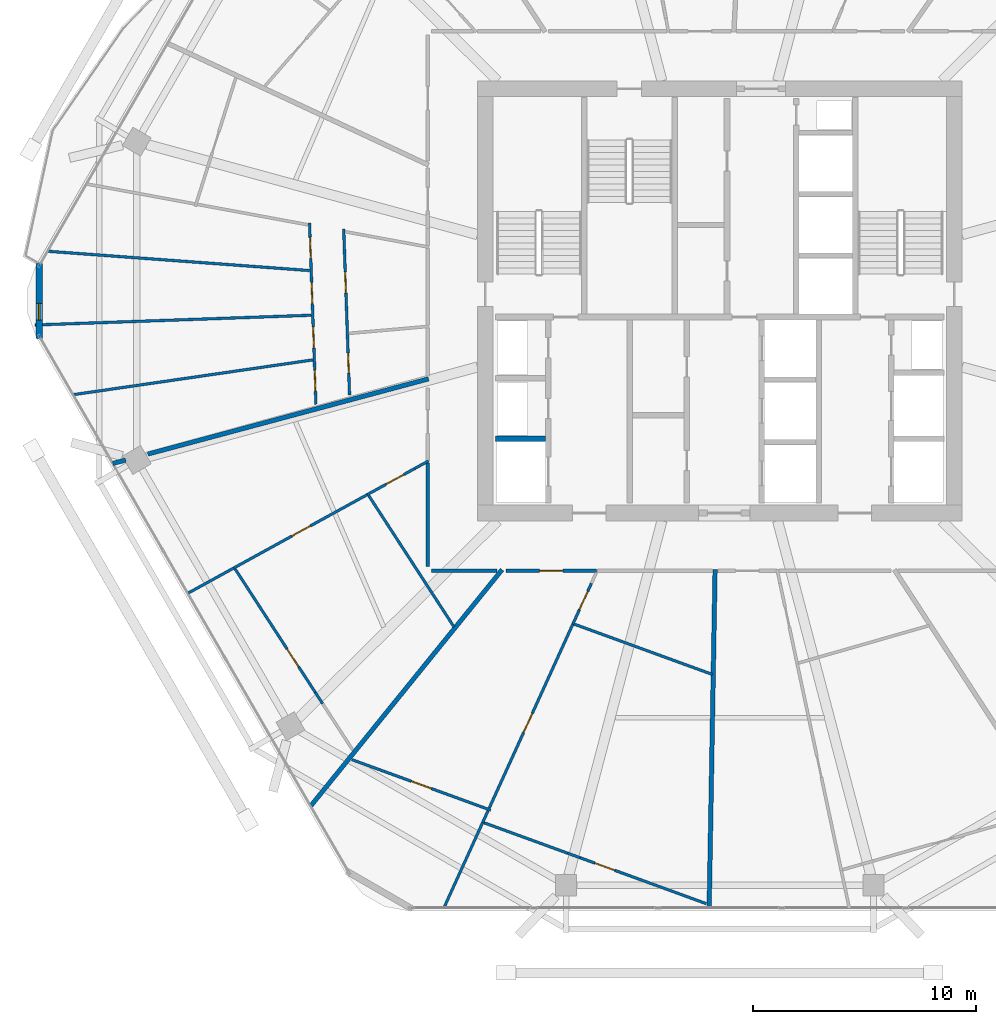
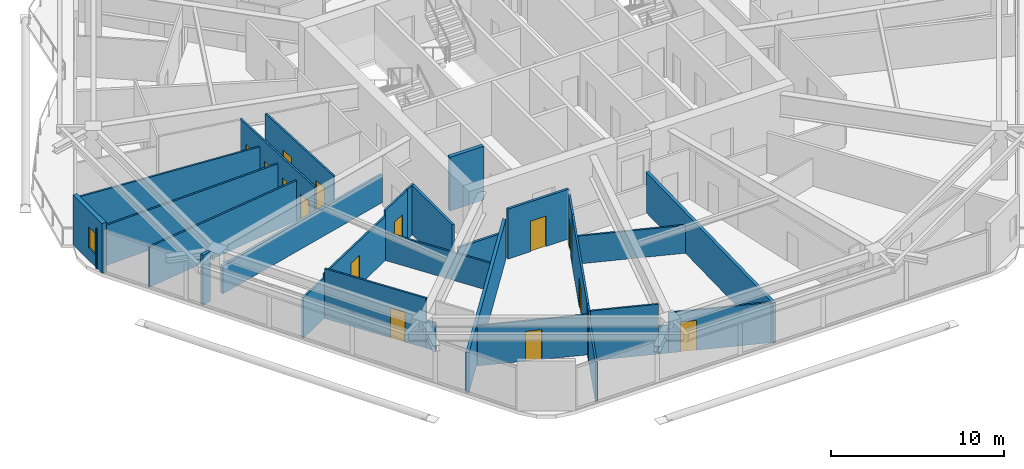
# One storey, part 20 of 28: 30 walls, 14 doors, 1 window, 15 openings.
"""IFC4 building model written with IfcOpenShell, lengths in metres."""

from ifc_helpers import new_model, si_unit, direction, frame, frame_2d, origin, place, context, subcontext, project, spatial, rectangle, extrude, material, layer, layer_set, type_object, element, fill, save


model = new_model("IFC4")

# Units and contexts
model_context = context("Model", 3, precision=1e-05, world=origin(), true_north=direction((0.0, 1.0)))
body_context = subcontext(model_context, "Body", "Model", "MODEL_VIEW")
ifc_project = project(units=[si_unit("LENGTHUNIT", "METRE"), si_unit("AREAUNIT", "SQUARE_METRE"), si_unit("VOLUMEUNIT", "CUBIC_METRE"), si_unit("PLANEANGLEUNIT", "RADIAN"), si_unit("MASSUNIT", "GRAM", prefix="KILO")], contexts=[model_context])

# Site, building, storey
site_placement = place(None, origin())
site = spatial("IfcSite", under=ifc_project, at=site_placement, CompositionType="ELEMENT")
building_placement = place(site_placement, origin())
building = spatial("IfcBuilding", under=site, at=building_placement, Name="Zuhravey Tower", CompositionType="ELEMENT")
storey_placement = place(building_placement, frame((0.0, 0.0, 222.60009765625)))
storey = spatial("IfcBuildingStorey", under=building, at=storey_placement, Name="L56", CompositionType="ELEMENT", Elevation=222.60009765625)

# Wall, opening, door
ifc_material_1 = material(Name="Gypsum fire-rated stud partition")
ifc_layer_1 = layer(ifc_material_1, 0.159912109375)
ifc_layer_set_1 = layer_set([ifc_layer_1], Name="Gypsum fire-rated stud partition")
wall_type_1 = type_object("IfcWallType", Name="Corridor Fire Partition 160", PredefinedType="PARTITIONING", material=ifc_layer_set_1)
wall_1_placement = place(storey_placement, frame((26.416748046875, 19.919921875, 0.0), z_axis=(0.0, 0.0, 1.0), x_axis=(1.0, 0.0, 0.0)))
wall_1 = element("IfcWall", 1, at=wall_1_placement, inside=storey, type_object=wall_type_1, Name="L56 IW16 Partition 053", PredefinedType="PARTITIONING", context=body_context, shape_type="SweptSolid", body=[
    extrude(rectangle(XDim=4.0712890625, YDim=0.159912109375, at=frame_2d((2.03564453125, 0.0))), origin(), (0.0, 0.0, 1.0), 3.52001953125),
])
opening_1_placement = place(wall_1_placement, frame((1.5107421875, 0.0, 0.0)))
opening_1 = element("IfcOpeningElement", 2, at=opening_1_placement, cuts=wall_1, Name="Opening APD1", PredefinedType="OPENING", context=body_context, shape_type="SweptSolid", body=[
    extrude(rectangle(XDim=1.050048828125, YDim=2.14990234375, at=frame_2d((0.52490234375, 1.074951171875))), frame((0.0, 0.092041015625, 0.0), z_axis=(0.0, -1.0, 0.0), x_axis=(1.0, 0.0, 0.0)), (0.0, 0.0, 1.0), 0.183837890625),
])
ifc_material_2 = material(Name="Solid-core oak fire-rated leaf")
door_type_1 = type_object("IfcDoorType", Name="Apartment Entrance Fire Door 1050x2150", OperationType="NOTDEFINED", PredefinedType="DOOR", material=ifc_material_2)
door_1_placement = place(opening_1_placement, frame((1.050048828125, 0.0, 0.0), z_axis=(0.0, 0.0, 1.0), x_axis=(-1.0, 0.0, 0.0)))
door_1 = element("IfcDoor", 3, at=door_1_placement, inside=storey, type_object=door_type_1, Name="L56 Door 053.1", OperationType="SINGLE_SWING_LEFT", OverallHeight=2.14990234375, OverallWidth=1.050048828125, PredefinedType="DOOR", context=body_context, shape_type="SweptSolid", body=[
    extrude(rectangle(XDim=1.050048828125, YDim=2.14990234375, at=frame_2d((0.52490234375, 1.074951171875))), frame((0.0, 0.02490234375, 0.0), z_axis=(0.0, -1.0, 0.0), x_axis=(1.0, 0.0, 0.0)), (0.0, 0.0, 1.0), 0.050048828125),
])
fill(opening_1, door_1)

# Walls
wall_2_placement = place(storey_placement, frame((22.919921875, 24.731689453125, 0.0), z_axis=(0.0, 0.0, 1.0), x_axis=(0.0, -1.0, 0.0)))
element("IfcWall", 4, at=wall_2_placement, inside=storey, type_object=wall_type_1, Name="L56 IW16 Partition 141", PredefinedType="PARTITIONING", context=body_context, shape_type="SweptSolid", body=[
    extrude(rectangle(XDim=4.631591796875, YDim=0.159912109375, at=frame_2d((2.31591796875, 0.0))), origin(), (0.0, 0.0, 1.0), 3.52001953125),
])
wall_3_placement = place(storey_placement, frame((23.10009765625, 19.919921875, 0.0), z_axis=(0.0, 0.0, 1.0), x_axis=(1.0, 0.0, 0.0)))
element("IfcWall", 5, at=wall_3_placement, inside=storey, type_object=wall_type_1, Name="L56 IW16 Partition 142", PredefinedType="PARTITIONING", context=body_context, shape_type="SweptSolid", body=[
    extrude(rectangle(XDim=2.916015625, YDim=0.159912109375, at=frame_2d((1.4580078125, 0.0))), origin(), (0.0, 0.0, 1.0), 1.969970703125),
])

# Wall, opening, window
ifc_material_3 = material(Name="Precast concrete C40/50", Category="concrete")
ifc_layer_2 = layer(ifc_material_3, 0.280029296875)
ifc_layer_set_2 = layer_set([ifc_layer_2], Name="Precast concrete C40/50")
wall_type_2 = type_object("IfcWallType", Name="Crown Architectural Wall 280", PredefinedType="SOLIDWALL", material=ifc_layer_set_2)
wall_4_placement = place(storey_placement, frame((5.5283203125, 30.3173828125, 0.0), z_axis=(0.0, 0.0, 1.0), x_axis=(0.0, 1.0, 0.0)))
wall_4 = element("IfcWall", 6, at=wall_4_placement, inside=storey, type_object=wall_type_2, Name="L56 Rounded Corner Closure Wall EW28-06", PredefinedType="SOLIDWALL", context=body_context, shape_type="SweptSolid", body=[
    extrude(rectangle(XDim=3.365234375, YDim=0.280029296875, at=frame_2d((1.6826171875, 0.0))), origin(), (0.0, 0.0, 1.0), 3.52001953125),
])
opening_2_placement = place(wall_4_placement, frame((0.81689453125, 0.0, 0.85009765625)))
opening_2 = element("IfcOpeningElement", 7, at=opening_2_placement, cuts=wall_4, Name="Opening WN5", PredefinedType="OPENING", context=body_context, shape_type="SweptSolid", body=[
    extrude(rectangle(XDim=0.75, YDim=1.5, at=frame_2d((0.375, 0.75))), frame((0.0, 0.152099609375, 0.0), z_axis=(0.0, -1.0, 0.0), x_axis=(1.0, 0.0, 0.0)), (0.0, 0.0, 1.0), 0.303955078125),
])
ifc_material_4 = material(Name="Thermally broken aluminium and triple low-E glass", Category="aluminium")
window_type = type_object("IfcWindowType", Name="Residential Corner Casement Window 750x1500", PartitioningType="SINGLE_PANEL", PredefinedType="WINDOW", material=ifc_material_4)
window_placement = place(opening_2_placement, origin())
window = element("IfcWindow", 8, at=window_placement, inside=storey, type_object=window_type, Name="L56 Corner Casement Window WN5-06.1", OverallHeight=1.5, OverallWidth=0.75, PartitioningType="SINGLE_PANEL", PredefinedType="WINDOW", context=body_context, shape_type="SweptSolid", body=[
    extrude(rectangle(XDim=0.75, YDim=1.5, at=frame_2d((0.375, 0.75))), frame((0.0, 0.030029296875, 0.0), z_axis=(0.0, -1.0, 0.0), x_axis=(1.0, 0.0, 0.0)), (0.0, 0.0, 1.0), 0.06005859375),
])
fill(opening_2, window)

# Walls
ifc_material_5 = material(Name="Concrete C50/60", Category="concrete")
ifc_layer_3 = layer(ifc_material_5, 0.25)
ifc_layer_set_3 = layer_set([ifc_layer_3], Name="Concrete C50/60")
wall_type_3 = type_object("IfcWallType", Name="Firefighting Shaft & Stair Wall 250", PredefinedType="SOLIDWALL", material=ifc_layer_set_3)
wall_5_placement = place(storey_placement, frame((25.949951171875, 25.824951171875, 0.0), z_axis=(0.0, 0.0, 1.0), x_axis=(1.0, 0.0, 0.0)))
element("IfcWall", 9, at=wall_5_placement, inside=storey, type_object=wall_type_3, Name="L56 FW25 Shaft Wall 009", PredefinedType="SOLIDWALL", context=body_context, shape_type="SweptSolid", body=[
    extrude(rectangle(XDim=2.25, YDim=0.25, at=frame_2d((1.125, 0.0))), origin(), (0.0, 0.0, 1.0), 3.7998046875),
])
ifc_material_6 = material(Name="Gypsum double-stud party assembly")
ifc_layer_4 = layer(ifc_material_6, 0.199951171875)
ifc_layer_set_4 = layer_set([ifc_layer_4], Name="Gypsum double-stud party assembly")
wall_type_4 = type_object("IfcWallType", Name="Inter-Tenancy Party Wall 200", PredefinedType="PARTITIONING", material=ifc_layer_set_4)
wall_6_placement = place(storey_placement, frame((22.9599609375, 28.505859375, 0.0), z_axis=(0.0, 0.0, 1.0), x_axis=(-0.965928543948, -0.258808902449, 0.0)))
element("IfcWall", 10, at=wall_6_placement, inside=storey, type_object=wall_type_4, Name="L56 IW20 Partition 107", PredefinedType="PARTITIONING", context=body_context, shape_type="SweptSolid", body=[
    extrude(rectangle(XDim=13.015869140625, YDim=0.199951171875, at=frame_2d((6.5078125, 0.0))), origin(), (0.0, 0.0, 1.0), 1.969970703125),
])
wall_7_placement = place(storey_placement, frame((9.3974609375, 24.871826171875, 0.0), z_axis=(0.0, 0.0, 1.0), x_axis=(-0.965944425699, -0.258749621182, 0.0)))
element("IfcWall", 11, at=wall_7_placement, inside=storey, type_object=wall_type_4, Name="L56 IW20 Partition 108", PredefinedType="PARTITIONING", context=body_context, shape_type="SweptSolid", body=[
    extrude(rectangle(XDim=0.60107421875, YDim=0.199951171875, at=frame_2d((0.300537109375, 0.0))), origin(), (0.0, 0.0, 1.0), 3.52001953125),
])
wall_8_placement = place(storey_placement, frame((26.250244140625, 19.9599609375, 0.0), z_axis=(0.0, 0.0, 1.0), x_axis=(-0.629325545389, -0.777141787527, 0.0)))
element("IfcWall", 12, at=wall_8_placement, inside=storey, type_object=wall_type_4, Name="L56 IW20 Partition 114", PredefinedType="PARTITIONING", context=body_context, shape_type="SweptSolid", body=[
    extrude(rectangle(XDim=13.62451171875, YDim=0.199951171875, at=frame_2d((6.812255859375, 0.0))), origin(), (0.0, 0.0, 1.0), 2.83984375),
])
wall_9_placement = place(storey_placement, frame((35.789794921875, 19.9599609375, 0.0), z_axis=(0.0, 0.0, 1.0), x_axis=(-0.017457758886, -0.999847601715, 0.0)))
element("IfcWall", 13, at=wall_9_placement, inside=storey, type_object=wall_type_4, Name="L56 IW20 Partition 120", PredefinedType="PARTITIONING", context=body_context, shape_type="SweptSolid", body=[
    extrude(rectangle(XDim=15.145263671875, YDim=0.199951171875, at=frame_2d((7.57275390625, 0.0))), origin(), (0.0, 0.0, 1.0), 2.83984375),
])

# Wall, openings, doors
ifc_material_7 = material(Name="Gypsum metal-stud partition")
ifc_layer_5 = layer(ifc_material_7, 0.1201171875)
ifc_layer_set_5 = layer_set([ifc_layer_5], Name="Gypsum metal-stud partition")
wall_type_5 = type_object("IfcWallType", Name="Unit Internal Partition 120", PredefinedType="PARTITIONING", material=ifc_layer_set_5)
wall_10_placement = place(storey_placement, frame((19.159423828125, 35.210693359375, 0.0), z_axis=(0.0, 0.0, 1.0), x_axis=(0.035234728785, -0.999379064163, 0.0)))
wall_10 = element("IfcWall", 14, at=wall_10_placement, inside=storey, type_object=wall_type_5, Name="L56 IW12 Partition 041", PredefinedType="PARTITIONING", context=body_context, shape_type="SweptSolid", body=[
    extrude(rectangle(XDim=7.434814453125, YDim=0.1201171875, at=frame_2d((3.71728515625, 0.0))), origin(), (0.0, 0.0, 1.0), 3.52001953125),
])
opening_3_placement = place(wall_10_placement, frame((1.914794921875, 0.0, 0.0)))
opening_3 = element("IfcOpeningElement", 15, at=opening_3_placement, cuts=wall_10, Name="Opening IND1", PredefinedType="OPENING", context=body_context, shape_type="SweptSolid", body=[
    extrude(rectangle(XDim=0.949951171875, YDim=2.10009765625, at=frame_2d((0.47509765625, 1.050048828125))), frame((0.0, 0.072021484375, 0.0), z_axis=(0.0, -1.0, 0.0), x_axis=(1.0, 0.0, 0.0)), (0.0, 0.0, 1.0), 0.14404296875),
])
opening_4_placement = place(wall_10_placement, frame((5.555908203125, 0.0, 0.0)))
opening_4 = element("IfcOpeningElement", 16, at=opening_4_placement, cuts=wall_10, Name="Opening WCD1", PredefinedType="OPENING", context=body_context, shape_type="SweptSolid", body=[
    extrude(rectangle(XDim=0.89990234375, YDim=2.10009765625, at=frame_2d((0.449951171875, 1.050048828125))), frame((0.0, 0.072021484375, 0.0), z_axis=(0.0, -1.0, 0.0), x_axis=(1.0, 0.0, 0.0)), (0.0, 0.0, 1.0), 0.14404296875),
])
ifc_material_8 = material(Name="Moisture-resistant timber leaf", Category="wood")
door_type_2 = type_object("IfcDoorType", Name="Bathroom & WC Internal Door 900x2100", OperationType="NOTDEFINED", PredefinedType="DOOR", material=ifc_material_8)
door_2_placement = place(opening_4_placement, origin())
door_2 = element("IfcDoor", 17, at=door_2_placement, inside=storey, type_object=door_type_2, Name="Apartment L56-05 Bathroom Door", OperationType="SINGLE_SWING_LEFT", OverallHeight=2.10009765625, OverallWidth=0.89990234375, PredefinedType="DOOR", context=body_context, shape_type="SweptSolid", body=[
    extrude(rectangle(XDim=0.89990234375, YDim=2.10009765625, at=frame_2d((0.449951171875, 1.050048828125))), frame((0.0, 0.02490234375, 0.0), z_axis=(0.0, -1.0, 0.0), x_axis=(1.0, 0.0, 0.0)), (0.0, 0.0, 1.0), 0.050048828125),
])
fill(opening_4, door_2)
ifc_material_9 = material(Name="Painted engineered timber leaf", Category="wood")
door_type_3 = type_object("IfcDoorType", Name="Internal Room & Bedroom Door 950x2100", OperationType="NOTDEFINED", PredefinedType="DOOR", material=ifc_material_9)
door_3_placement = place(opening_3_placement, origin())
door_3 = element("IfcDoor", 18, at=door_3_placement, inside=storey, type_object=door_type_3, Name="Apartment L56-05 Kitchen Door", OperationType="SINGLE_SWING_RIGHT", OverallHeight=2.10009765625, OverallWidth=0.949951171875, PredefinedType="DOOR", context=body_context, shape_type="SweptSolid", body=[
    extrude(rectangle(XDim=0.949951171875, YDim=2.10009765625, at=frame_2d((0.47509765625, 1.050048828125))), frame((0.0, 0.02490234375, 0.0), z_axis=(0.0, -1.0, 0.0), x_axis=(1.0, 0.0, 0.0)), (0.0, 0.0, 1.0), 0.050048828125),
])
fill(opening_3, door_3)

wall_11_placement = place(storey_placement, frame((17.628662109375, 35.493408203125, 0.0), z_axis=(0.0, 0.0, 1.0), x_axis=(0.035227692797, -0.999379312203, 0.0)))
wall_11 = element("IfcWall", 19, at=wall_11_placement, inside=storey, type_object=wall_type_5, Name="L56 IW12 Partition 042", PredefinedType="PARTITIONING", context=body_context, shape_type="SweptSolid", body=[
    extrude(rectangle(XDim=8.12939453125, YDim=0.1201171875, at=frame_2d((4.064697265625, 0.0))), origin(), (0.0, 0.0, 1.0), 3.52001953125),
])
opening_5_placement = place(wall_11_placement, frame((0.6474609375, 0.0, 0.0)))
opening_5 = element("IfcOpeningElement", 20, at=opening_5_placement, cuts=wall_11, Name="Opening IND1", PredefinedType="OPENING", context=body_context, shape_type="SweptSolid", body=[
    extrude(rectangle(XDim=0.949951171875, YDim=2.10009765625, at=frame_2d((0.47509765625, 1.050048828125))), frame((0.0, 0.072021484375, 0.0), z_axis=(0.0, -1.0, 0.0), x_axis=(1.0, 0.0, 0.0)), (0.0, 0.0, 1.0), 0.14404296875),
])
opening_6_placement = place(wall_11_placement, frame((2.66650390625, 0.0, 0.0)))
opening_6 = element("IfcOpeningElement", 21, at=opening_6_placement, cuts=wall_11, Name="Opening IND1", PredefinedType="OPENING", context=body_context, shape_type="SweptSolid", body=[
    extrude(rectangle(XDim=0.949951171875, YDim=2.10009765625, at=frame_2d((0.47509765625, 1.050048828125))), frame((0.0, 0.072021484375, 0.0), z_axis=(0.0, -1.0, 0.0), x_axis=(1.0, 0.0, 0.0)), (0.0, 0.0, 1.0), 0.14404296875),
])
opening_7_placement = place(wall_11_placement, frame((4.6611328125, 0.0, 0.0)))
opening_7 = element("IfcOpeningElement", 22, at=opening_7_placement, cuts=wall_11, Name="Opening IND1", PredefinedType="OPENING", context=body_context, shape_type="SweptSolid", body=[
    extrude(rectangle(XDim=0.949951171875, YDim=2.10009765625, at=frame_2d((0.47509765625, 1.050048828125))), frame((0.0, 0.072021484375, 0.0), z_axis=(0.0, -1.0, 0.0), x_axis=(1.0, 0.0, 0.0)), (0.0, 0.0, 1.0), 0.14404296875),
])
opening_8_placement = place(wall_11_placement, frame((6.606201171875, 0.0, 0.0)))
opening_8 = element("IfcOpeningElement", 23, at=opening_8_placement, cuts=wall_11, Name="Opening IND1", PredefinedType="OPENING", context=body_context, shape_type="SweptSolid", body=[
    extrude(rectangle(XDim=0.949951171875, YDim=2.10009765625, at=frame_2d((0.47509765625, 1.050048828125))), frame((0.0, 0.072021484375, 0.0), z_axis=(0.0, -1.0, 0.0), x_axis=(1.0, 0.0, 0.0)), (0.0, 0.0, 1.0), 0.14404296875),
])
door_4_placement = place(opening_5_placement, frame((0.949951171875, 0.0, 0.0), z_axis=(0.0, 0.0, 1.0), x_axis=(-1.0, 0.0, 0.0)))
door_4 = element("IfcDoor", 24, at=door_4_placement, inside=storey, type_object=door_type_3, Name="Apartment L56-05 Bedroom 1 Door", OperationType="SINGLE_SWING_RIGHT", OverallHeight=2.10009765625, OverallWidth=0.949951171875, PredefinedType="DOOR", context=body_context, shape_type="SweptSolid", body=[
    extrude(rectangle(XDim=0.949951171875, YDim=2.10009765625, at=frame_2d((0.47509765625, 1.050048828125))), frame((0.0, 0.02490234375, 0.0), z_axis=(0.0, -1.0, 0.0), x_axis=(1.0, 0.0, 0.0)), (0.0, 0.0, 1.0), 0.050048828125),
])
fill(opening_5, door_4)
door_5_placement = place(opening_6_placement, frame((0.949951171875, 0.0, 0.0), z_axis=(0.0, 0.0, 1.0), x_axis=(-1.0, 0.0, 0.0)))
door_5 = element("IfcDoor", 25, at=door_5_placement, inside=storey, type_object=door_type_3, Name="Apartment L56-05 Bedroom 2 Door", OperationType="SINGLE_SWING_LEFT", OverallHeight=2.10009765625, OverallWidth=0.949951171875, PredefinedType="DOOR", context=body_context, shape_type="SweptSolid", body=[
    extrude(rectangle(XDim=0.949951171875, YDim=2.10009765625, at=frame_2d((0.47509765625, 1.050048828125))), frame((0.0, 0.02490234375, 0.0), z_axis=(0.0, -1.0, 0.0), x_axis=(1.0, 0.0, 0.0)), (0.0, 0.0, 1.0), 0.050048828125),
])
fill(opening_6, door_5)
door_6_placement = place(opening_7_placement, frame((0.949951171875, 0.0, 0.0), z_axis=(0.0, 0.0, 1.0), x_axis=(-1.0, 0.0, 0.0)))
door_6 = element("IfcDoor", 26, at=door_6_placement, inside=storey, type_object=door_type_3, Name="Apartment L56-05 Bedroom 3 Door", OperationType="SINGLE_SWING_RIGHT", OverallHeight=2.10009765625, OverallWidth=0.949951171875, PredefinedType="DOOR", context=body_context, shape_type="SweptSolid", body=[
    extrude(rectangle(XDim=0.949951171875, YDim=2.10009765625, at=frame_2d((0.47509765625, 1.050048828125))), frame((0.0, 0.02490234375, 0.0), z_axis=(0.0, -1.0, 0.0), x_axis=(1.0, 0.0, 0.0)), (0.0, 0.0, 1.0), 0.050048828125),
])
fill(opening_7, door_6)
door_7_placement = place(opening_8_placement, frame((0.949951171875, 0.0, 0.0), z_axis=(0.0, 0.0, 1.0), x_axis=(-1.0, 0.0, 0.0)))
door_7 = element("IfcDoor", 27, at=door_7_placement, inside=storey, type_object=door_type_3, Name="Apartment L56-05 Bedroom 4 Door", OperationType="SINGLE_SWING_LEFT", OverallHeight=2.10009765625, OverallWidth=0.949951171875, PredefinedType="DOOR", context=body_context, shape_type="SweptSolid", body=[
    extrude(rectangle(XDim=0.949951171875, YDim=2.10009765625, at=frame_2d((0.47509765625, 1.050048828125))), frame((0.0, 0.02490234375, 0.0), z_axis=(0.0, -1.0, 0.0), x_axis=(1.0, 0.0, 0.0)), (0.0, 0.0, 1.0), 0.050048828125),
])
fill(opening_8, door_7)

# Wall, opening, door
wall_12_placement = place(storey_placement, frame((22.35009765625, 24.495849609375, 0.0), z_axis=(0.0, 0.0, 1.0), x_axis=(-0.876309206798, -0.481749077924, 0.0)))
wall_12 = element("IfcWall", 28, at=wall_12_placement, inside=storey, type_object=wall_type_5, Name="L56 IW12 Partition 044", PredefinedType="PARTITIONING", context=body_context, shape_type="SweptSolid", body=[
    extrude(rectangle(XDim=2.430419921875, YDim=0.1201171875, at=frame_2d((1.21533203125, 0.0))), origin(), (0.0, 0.0, 1.0), 3.52001953125),
])
opening_9_placement = place(wall_12_placement, frame((0.57080078125, 0.0, 0.0)))
opening_9 = element("IfcOpeningElement", 29, at=opening_9_placement, cuts=wall_12, Name="Opening WCD1", PredefinedType="OPENING", context=body_context, shape_type="SweptSolid", body=[
    extrude(rectangle(XDim=0.89990234375, YDim=2.10009765625, at=frame_2d((0.449951171875, 1.050048828125))), frame((0.0, 0.072021484375, 0.0), z_axis=(0.0, -1.0, 0.0), x_axis=(1.0, 0.0, 0.0)), (0.0, 0.0, 1.0), 0.14404296875),
])
door_8_placement = place(opening_9_placement, origin())
door_8 = element("IfcDoor", 30, at=door_8_placement, inside=storey, type_object=door_type_2, Name="Apartment L56-06 Bathroom Door", OperationType="SINGLE_SWING_LEFT", OverallHeight=2.10009765625, OverallWidth=0.89990234375, PredefinedType="DOOR", context=body_context, shape_type="SweptSolid", body=[
    extrude(rectangle(XDim=0.89990234375, YDim=2.10009765625, at=frame_2d((0.449951171875, 1.050048828125))), frame((0.0, 0.02490234375, 0.0), z_axis=(0.0, -1.0, 0.0), x_axis=(1.0, 0.0, 0.0)), (0.0, 0.0, 1.0), 0.050048828125),
])
fill(opening_9, door_8)

wall_13_placement = place(storey_placement, frame((20.22021484375, 23.324951171875, 0.0), z_axis=(0.0, 0.0, 1.0), x_axis=(-0.876311810277, -0.481744342124, 0.0)))
wall_13 = element("IfcWall", 31, at=wall_13_placement, inside=storey, type_object=wall_type_5, Name="L56 IW12 Partition 045", PredefinedType="PARTITIONING", context=body_context, shape_type="SweptSolid", body=[
    extrude(rectangle(XDim=6.824951171875, YDim=0.1201171875, at=frame_2d((3.41259765625, 0.0))), origin(), (0.0, 0.0, 1.0), 3.119873046875),
])
opening_10_placement = place(wall_13_placement, frame((2.912353515625, 0.0, 0.0)))
opening_10 = element("IfcOpeningElement", 32, at=opening_10_placement, cuts=wall_13, Name="Opening IND1", PredefinedType="OPENING", context=body_context, shape_type="SweptSolid", body=[
    extrude(rectangle(XDim=0.949951171875, YDim=2.10009765625, at=frame_2d((0.47509765625, 1.050048828125))), frame((0.0, 0.072021484375, 0.0), z_axis=(0.0, -1.0, 0.0), x_axis=(1.0, 0.0, 0.0)), (0.0, 0.0, 1.0), 0.14404296875),
])
door_9_placement = place(opening_10_placement, origin())
door_9 = element("IfcDoor", 33, at=door_9_placement, inside=storey, type_object=door_type_3, Name="Apartment L56-06 Home Office Door", OperationType="SINGLE_SWING_RIGHT", OverallHeight=2.10009765625, OverallWidth=0.949951171875, PredefinedType="DOOR", context=body_context, shape_type="SweptSolid", body=[
    extrude(rectangle(XDim=0.949951171875, YDim=2.10009765625, at=frame_2d((0.47509765625, 1.050048828125))), frame((0.0, 0.02490234375, 0.0), z_axis=(0.0, -1.0, 0.0), x_axis=(1.0, 0.0, 0.0)), (0.0, 0.0, 1.0), 0.050048828125),
])
fill(opening_10, door_9)

wall_14_placement = place(storey_placement, frame((14.298583984375, 19.991943359375, 0.0), z_axis=(0.0, 0.0, 1.0), x_axis=(0.544629834491, -0.838676542764, 0.0)))
wall_14 = element("IfcWall", 34, at=wall_14_placement, inside=storey, type_object=wall_type_5, Name="L56 IW12 Partition 046", PredefinedType="PARTITIONING", context=body_context, shape_type="SweptSolid", body=[
    extrude(rectangle(XDim=6.583251953125, YDim=0.1201171875, at=frame_2d((3.29150390625, 0.0))), origin(), (0.0, 0.0, 1.0), 3.52001953125),
])
opening_11_placement = place(wall_14_placement, frame((4.267822265625, 0.0, 0.0)))
opening_11 = element("IfcOpeningElement", 35, at=opening_11_placement, cuts=wall_14, Name="Opening IND1", PredefinedType="OPENING", context=body_context, shape_type="SweptSolid", body=[
    extrude(rectangle(XDim=0.949951171875, YDim=2.10009765625, at=frame_2d((0.47509765625, 1.050048828125))), frame((0.0, 0.072021484375, 0.0), z_axis=(0.0, -1.0, 0.0), x_axis=(1.0, 0.0, 0.0)), (0.0, 0.0, 1.0), 0.14404296875),
])
door_10_placement = place(opening_11_placement, frame((0.949951171875, 0.0, 0.0), z_axis=(0.0, 0.0, 1.0), x_axis=(-1.0, 0.0, 0.0)))
door_10 = element("IfcDoor", 36, at=door_10_placement, inside=storey, type_object=door_type_3, Name="Apartment L56-06 Bedroom 1 Door", OperationType="SINGLE_SWING_LEFT", OverallHeight=2.10009765625, OverallWidth=0.949951171875, PredefinedType="DOOR", context=body_context, shape_type="SweptSolid", body=[
    extrude(rectangle(XDim=0.949951171875, YDim=2.10009765625, at=frame_2d((0.47509765625, 1.050048828125))), frame((0.0, 0.02490234375, 0.0), z_axis=(0.0, -1.0, 0.0), x_axis=(1.0, 0.0, 0.0)), (0.0, 0.0, 1.0), 0.050048828125),
])
fill(opening_11, door_10)

wall_15_placement = place(storey_placement, frame((19.52880859375, 11.45361328125, 0.0), z_axis=(0.0, 0.0, 1.0), x_axis=(0.939692077738, -0.342021635334, 0.0)))
wall_15 = element("IfcWall", 37, at=wall_15_placement, inside=storey, type_object=wall_type_5, Name="L56 IW12 Partition 048", PredefinedType="PARTITIONING", context=body_context, shape_type="SweptSolid", body=[
    extrude(rectangle(XDim=6.6142578125, YDim=0.1201171875, at=frame_2d((3.30712890625, 0.0))), origin(), (0.0, 0.0, 1.0), 2.83984375),
])
opening_12_placement = place(wall_15_placement, frame((2.83203125, 0.0, 0.0)))
opening_12 = element("IfcOpeningElement", 38, at=opening_12_placement, cuts=wall_15, Name="Opening IND1", PredefinedType="OPENING", context=body_context, shape_type="SweptSolid", body=[
    extrude(rectangle(XDim=0.949951171875, YDim=2.10009765625, at=frame_2d((0.47509765625, 1.050048828125))), frame((0.0, 0.072021484375, 0.0), z_axis=(0.0, -1.0, 0.0), x_axis=(1.0, 0.0, 0.0)), (0.0, 0.0, 1.0), 0.14404296875),
])
door_11_placement = place(opening_12_placement, frame((0.949951171875, 0.0, 0.0), z_axis=(0.0, 0.0, 1.0), x_axis=(-1.0, 0.0, 0.0)))
door_11 = element("IfcDoor", 39, at=door_11_placement, inside=storey, type_object=door_type_3, Name="Apartment L56-07 Family Study Door", OperationType="SINGLE_SWING_LEFT", OverallHeight=2.10009765625, OverallWidth=0.949951171875, PredefinedType="DOOR", context=body_context, shape_type="SweptSolid", body=[
    extrude(rectangle(XDim=0.949951171875, YDim=2.10009765625, at=frame_2d((0.47509765625, 1.050048828125))), frame((0.0, 0.02490234375, 0.0), z_axis=(0.0, -1.0, 0.0), x_axis=(1.0, 0.0, 0.0)), (0.0, 0.0, 1.0), 0.050048828125),
])
fill(opening_12, door_11)

wall_16_placement = place(storey_placement, frame((30.2509765625, 19.35009765625, 0.0), z_axis=(0.0, 0.0, 1.0), x_axis=(-0.413702365971, -0.910412188182, 0.0)))
wall_16 = element("IfcWall", 40, at=wall_16_placement, inside=storey, type_object=wall_type_5, Name="L56 IW12 Partition 049", PredefinedType="PARTITIONING", context=body_context, shape_type="SweptSolid", body=[
    extrude(rectangle(XDim=2.01171875, YDim=0.1201171875, at=frame_2d((1.005859375, 0.0))), origin(), (0.0, 0.0, 1.0), 3.52001953125),
])
opening_13_placement = place(wall_16_placement, frame((0.39501953125, 0.0, 0.0)))
opening_13 = element("IfcOpeningElement", 41, at=opening_13_placement, cuts=wall_16, Name="Opening WCD1", PredefinedType="OPENING", context=body_context, shape_type="SweptSolid", body=[
    extrude(rectangle(XDim=0.89990234375, YDim=2.10009765625, at=frame_2d((0.449951171875, 1.050048828125))), frame((0.0, 0.072021484375, 0.0), z_axis=(0.0, -1.0, 0.0), x_axis=(1.0, 0.0, 0.0)), (0.0, 0.0, 1.0), 0.14404296875),
])
door_12_placement = place(opening_13_placement, origin())
door_12 = element("IfcDoor", 42, at=door_12_placement, inside=storey, type_object=door_type_2, Name="Apartment L56-07 Bathroom Door", OperationType="SINGLE_SWING_RIGHT", OverallHeight=2.10009765625, OverallWidth=0.89990234375, PredefinedType="DOOR", context=body_context, shape_type="SweptSolid", body=[
    extrude(rectangle(XDim=0.89990234375, YDim=2.10009765625, at=frame_2d((0.449951171875, 1.050048828125))), frame((0.0, 0.02490234375, 0.0), z_axis=(0.0, -1.0, 0.0), x_axis=(1.0, 0.0, 0.0)), (0.0, 0.0, 1.0), 0.050048828125),
])
fill(opening_13, door_12)

wall_17_placement = place(storey_placement, frame((29.418701171875, 17.5185546875, 0.0), z_axis=(0.0, 0.0, 1.0), x_axis=(-0.41373376756, -0.910397918265, 0.0)))
wall_17 = element("IfcWall", 43, at=wall_17_placement, inside=storey, type_object=wall_type_5, Name="L56 IW12 Partition 050", PredefinedType="PARTITIONING", context=body_context, shape_type="SweptSolid", body=[
    extrude(rectangle(XDim=9.040771484375, YDim=0.1201171875, at=frame_2d((4.5205078125, 0.0))), origin(), (0.0, 0.0, 1.0), 3.52001953125),
])
opening_14_placement = place(wall_17_placement, frame((4.38427734375, 0.0, 0.0)))
opening_14 = element("IfcOpeningElement", 44, at=opening_14_placement, cuts=wall_17, Name="Opening IND1", PredefinedType="OPENING", context=body_context, shape_type="SweptSolid", body=[
    extrude(rectangle(XDim=0.949951171875, YDim=2.10009765625, at=frame_2d((0.47509765625, 1.050048828125))), frame((0.0, 0.072021484375, 0.0), z_axis=(0.0, -1.0, 0.0), x_axis=(1.0, 0.0, 0.0)), (0.0, 0.0, 1.0), 0.14404296875),
])
door_13_placement = place(opening_14_placement, origin())
door_13 = element("IfcDoor", 45, at=door_13_placement, inside=storey, type_object=door_type_3, Name="Apartment L56-07 Home Office Door", OperationType="SINGLE_SWING_LEFT", OverallHeight=2.10009765625, OverallWidth=0.949951171875, PredefinedType="DOOR", context=body_context, shape_type="SweptSolid", body=[
    extrude(rectangle(XDim=0.949951171875, YDim=2.10009765625, at=frame_2d((0.47509765625, 1.050048828125))), frame((0.0, 0.02490234375, 0.0), z_axis=(0.0, -1.0, 0.0), x_axis=(1.0, 0.0, 0.0)), (0.0, 0.0, 1.0), 0.050048828125),
])
fill(opening_14, door_13)

# Wall
wall_18_placement = place(storey_placement, frame((25.621826171875, 9.16357421875, 0.0), z_axis=(0.0, 0.0, 1.0), x_axis=(-0.413865182103, -0.910338184985, 0.0)))
element("IfcWall", 46, at=wall_18_placement, inside=storey, type_object=wall_type_5, Name="L56 IW12 Partition 051", PredefinedType="PARTITIONING", context=body_context, shape_type="SweptSolid", body=[
    extrude(rectangle(XDim=0.591064453125, YDim=0.1201171875, at=frame_2d((0.29541015625, 0.0))), origin(), (0.0, 0.0, 1.0), 3.52001953125),
])

# Wall, opening, door
wall_19_placement = place(storey_placement, frame((29.74951171875, 7.060546875, 0.0), z_axis=(0.0, 0.0, 1.0), x_axis=(0.9396913131, -0.342023736143, 0.0)))
wall_19 = element("IfcWall", 47, at=wall_19_placement, inside=storey, type_object=wall_type_5, Name="L56 IW12 Partition 052", PredefinedType="PARTITIONING", context=body_context, shape_type="SweptSolid", body=[
    extrude(rectangle(XDim=6.006103515625, YDim=0.1201171875, at=frame_2d((3.0029296875, 0.0))), origin(), (0.0, 0.0, 1.0), 2.83984375),
])
opening_15_placement = place(wall_19_placement, frame((0.694091796875, 0.0, 0.0)))
opening_15 = element("IfcOpeningElement", 48, at=opening_15_placement, cuts=wall_19, Name="Opening IND1", PredefinedType="OPENING", context=body_context, shape_type="SweptSolid", body=[
    extrude(rectangle(XDim=0.949951171875, YDim=2.10009765625, at=frame_2d((0.47509765625, 1.050048828125))), frame((0.0, 0.072021484375, 0.0), z_axis=(0.0, -1.0, 0.0), x_axis=(1.0, 0.0, 0.0)), (0.0, 0.0, 1.0), 0.14404296875),
])
door_14_placement = place(opening_15_placement, frame((0.949951171875, 0.0, 0.0), z_axis=(0.0, 0.0, 1.0), x_axis=(-1.0, 0.0, 0.0)))
door_14 = element("IfcDoor", 49, at=door_14_placement, inside=storey, type_object=door_type_3, Name="Apartment L56-07 Bedroom 1 Door", OperationType="SINGLE_SWING_RIGHT", OverallHeight=2.10009765625, OverallWidth=0.949951171875, PredefinedType="DOOR", context=body_context, shape_type="SweptSolid", body=[
    extrude(rectangle(XDim=0.949951171875, YDim=2.10009765625, at=frame_2d((0.47509765625, 1.050048828125))), frame((0.0, 0.02490234375, 0.0), z_axis=(0.0, -1.0, 0.0), x_axis=(1.0, 0.0, 0.0)), (0.0, 0.0, 1.0), 0.050048828125),
])
fill(opening_15, door_14)

# Walls
wall_20_placement = place(storey_placement, frame((17.635986328125, 33.35498046875, 0.0), z_axis=(0.0, 0.0, 1.0), x_axis=(-0.997288966601, 0.073584761308, 0.0)))
element("IfcWall", 50, at=wall_20_placement, inside=storey, type_object=wall_type_5, Name="L56 IW12 Partition 099", PredefinedType="PARTITIONING", context=body_context, shape_type="SweptSolid", body=[
    extrude(rectangle(XDim=11.784912109375, YDim=0.1201171875, at=frame_2d((5.892578125, 0.0))), origin(), (0.0, 0.0, 1.0), 2.83984375),
])
wall_21_placement = place(storey_placement, frame((17.70654296875, 31.354736328125, 0.0), z_axis=(0.0, 0.0, 1.0), x_axis=(-0.999378699992, -0.035245056423, 0.0)))
element("IfcWall", 51, at=wall_21_placement, inside=storey, type_object=wall_type_5, Name="L56 IW12 Partition 100", PredefinedType="PARTITIONING", context=body_context, shape_type="SweptSolid", body=[
    extrude(rectangle(XDim=12.385498046875, YDim=0.1201171875, at=frame_2d((6.19287109375, 0.0))), origin(), (0.0, 0.0, 1.0), 2.83984375),
])
wall_22_placement = place(storey_placement, frame((17.777099609375, 29.3544921875, 0.0), z_axis=(0.0, 0.0, 1.0), x_axis=(-0.989627788281, -0.143655284142, 0.0)))
element("IfcWall", 52, at=wall_22_placement, inside=storey, type_object=wall_type_5, Name="L56 IW12 Partition 101", PredefinedType="PARTITIONING", context=body_context, shape_type="SweptSolid", body=[
    extrude(rectangle(XDim=10.861328125, YDim=0.1201171875, at=frame_2d((5.4306640625, 0.0))), origin(), (0.0, 0.0, 1.0), 2.83984375),
])
wall_23_placement = place(storey_placement, frame((22.96142578125, 24.83203125, 0.0), z_axis=(0.0, 0.0, 1.0), x_axis=(-0.876245460358, -0.48186501554, 0.0)))
element("IfcWall", 53, at=wall_23_placement, inside=storey, type_object=wall_type_5, Name="L56 IW12 Partition 109", PredefinedType="PARTITIONING", context=body_context, shape_type="SweptSolid", body=[
    extrude(rectangle(XDim=0.69775390625, YDim=0.1201171875, at=frame_2d((0.348876953125, 0.0))), origin(), (0.0, 0.0, 1.0), 3.52001953125),
])
wall_24_placement = place(storey_placement, frame((14.239501953125, 20.037109375, 0.0), z_axis=(0.0, 0.0, 1.0), x_axis=(-0.876298822975, -0.481767965781, 0.0)))
element("IfcWall", 54, at=wall_24_placement, inside=storey, type_object=wall_type_5, Name="L56 IW12 Partition 110", PredefinedType="PARTITIONING", context=body_context, shape_type="SweptSolid", body=[
    extrude(rectangle(XDim=2.362060546875, YDim=0.1201171875, at=frame_2d((1.18115234375, 0.0))), origin(), (0.0, 0.0, 1.0), 2.83984375),
])
wall_25_placement = place(storey_placement, frame((20.279296875, 23.27978515625, 0.0), z_axis=(0.0, 0.0, 1.0), x_axis=(0.544627082445, -0.838678329914, 0.0)))
element("IfcWall", 55, at=wall_25_placement, inside=storey, type_object=wall_type_5, Name="L56 IW12 Partition 111", PredefinedType="PARTITIONING", context=body_context, shape_type="SweptSolid", body=[
    extrude(rectangle(XDim=7.00830078125, YDim=0.1201171875, at=frame_2d((3.504150390625, 0.0))), origin(), (0.0, 0.0, 1.0), 1.969970703125),
])
wall_26_placement = place(storey_placement, frame((17.884033203125, 14.470703125, 0.0), z_axis=(0.0, 0.0, 1.0), x_axis=(0.544818619731, -0.838553916927, 0.0)))
element("IfcWall", 56, at=wall_26_placement, inside=storey, type_object=wall_type_5, Name="L56 IW12 Partition 112", PredefinedType="PARTITIONING", context=body_context, shape_type="SweptSolid", body=[
    extrude(rectangle(XDim=0.606689453125, YDim=0.1201171875, at=frame_2d((0.30322265625, 0.0))), origin(), (0.0, 0.0, 1.0), 1.969970703125),
])
wall_27_placement = place(storey_placement, frame((25.377197265625, 8.62548828125, 0.0), z_axis=(0.0, 0.0, 1.0), x_axis=(-0.413759006365, -0.910386447972, 0.0)))
element("IfcWall", 57, at=wall_27_placement, inside=storey, type_object=wall_type_5, Name="L56 IW12 Partition 116", PredefinedType="PARTITIONING", context=body_context, shape_type="SweptSolid", body=[
    extrude(rectangle(XDim=4.1865234375, YDim=0.1201171875, at=frame_2d((2.09326171875, 0.0))), origin(), (0.0, 0.0, 1.0), 2.83984375),
])
wall_28_placement = place(storey_placement, frame((29.4931640625, 17.517822265625, 0.0), z_axis=(0.0, 0.0, 1.0), x_axis=(0.939702180936, -0.341993875886, 0.0)))
element("IfcWall", 58, at=wall_28_placement, inside=storey, type_object=wall_type_5, Name="L56 IW12 Partition 117", PredefinedType="PARTITIONING", context=body_context, shape_type="SweptSolid", body=[
    extrude(rectangle(XDim=6.564697265625, YDim=0.1201171875, at=frame_2d((3.2822265625, 0.0))), origin(), (0.0, 0.0, 1.0), 1.969970703125),
])
wall_29_placement = place(storey_placement, frame((29.18896484375, 7.2646484375, 0.0), z_axis=(0.0, 0.0, 1.0), x_axis=(0.939649952079, -0.342137351889, 0.0)))
element("IfcWall", 59, at=wall_29_placement, inside=storey, type_object=wall_type_5, Name="L56 IW12 Partition 118", PredefinedType="PARTITIONING", context=body_context, shape_type="SweptSolid", body=[
    extrude(rectangle(XDim=0.596435546875, YDim=0.1201171875, at=frame_2d((0.29833984375, 0.0))), origin(), (0.0, 0.0, 1.0), 1.969970703125),
])
wall_30_placement = place(storey_placement, frame((25.45166015625, 8.624755859375, 0.0), z_axis=(0.0, 0.0, 1.0), x_axis=(0.939705569338, -0.341984565376, 0.0)))
element("IfcWall", 60, at=wall_30_placement, inside=storey, type_object=wall_type_5, Name="L56 IW12 Partition 119", PredefinedType="PARTITIONING", context=body_context, shape_type="SweptSolid", body=[
    extrude(rectangle(XDim=3.97705078125, YDim=0.1201171875, at=frame_2d((1.988525390625, 0.0))), origin(), (0.0, 0.0, 1.0), 3.52001953125),
])

save(model, "model.ifc")
